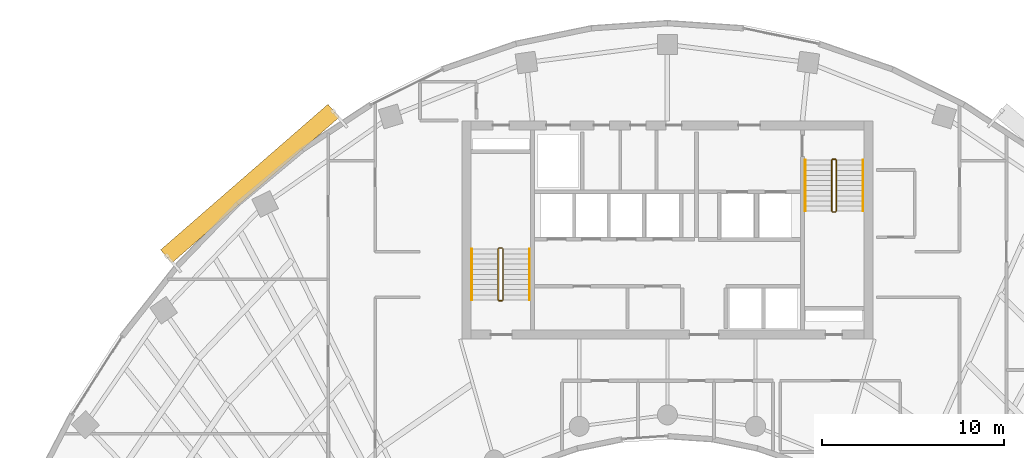
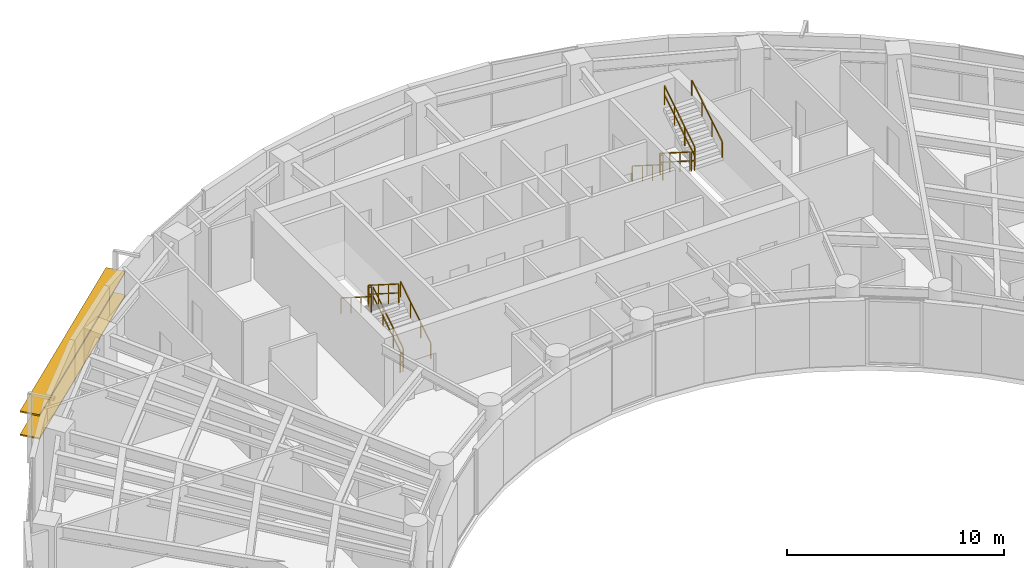
# One storey, part 12 of 13: 12 railings, 2 shading devices.
"""IFC4 building model written with IfcOpenShell, lengths in metres."""

import ifcopenshell
import ifcopenshell.guid

model = None  # the IFC model being written
_history = None  # IfcOwnerHistory: only IFC2X3 demands one
_inside = {}  # id of a spatial element -> (the spatial element, [elements in it])
_under = {}  # id of a project, library or spatial element -> (it, [spatial elements below it])
_declared = {}  # id of a project -> (the project, [libraries it declares])
_typed = {}  # id of a type object -> (the type object, [elements of that type])
_made_of = {}  # id of a material, layer set ... -> (it, [elements and type objects made of it])


def new_model(schema):
    """Start an empty IFC model of exactly this schema.

    Asked for "IFC4X3", IfcOpenShell would pick the latest addendum, in which some entities
    have other attributes; the version numbers below select the first issue.
    IFC2X3 requires an IfcOwnerHistory on every rooted entity: one is made here for all.
    """
    global model, _history
    if schema == "IFC4X3":
        model = ifcopenshell.file(schema_version=(4, 3, 0, 0))
    else:
        model = ifcopenshell.file(schema=schema)
    _inside.clear()
    _under.clear()
    _declared.clear()
    _typed.clear()
    _made_of.clear()
    _history = None
    if model.schema == "IFC2X3":
        org = make("IfcOrganization", Name="unknown")
        user = make(
            "IfcPersonAndOrganization",
            ThePerson=make("IfcPerson", FamilyName="unknown"),
            TheOrganization=org,
        )
        app = make(
            "IfcApplication",
            ApplicationDeveloper=org,
            Version="unknown",
            ApplicationFullName="unknown",
            ApplicationIdentifier="unknown",
        )
        _history = make(
            "IfcOwnerHistory",
            OwningUser=user,
            OwningApplication=app,
            ChangeAction="ADDED",
            CreationDate=0,
        )
    return model


def make(cls, **values):
    """One entity of the class cls with the attributes given. An attribute that is None is left unset."""
    return model.create_entity(
        cls, **{name: value for name, value in values.items() if value is not None}
    )


def rooted(cls, **values):
    """An entity with a GlobalId (a new one), such as an element, a storey or a relation."""
    return make(cls, GlobalId=ifcopenshell.guid.new(), OwnerHistory=_history, **values)


def si_unit(unit_type, name, prefix=None):
    """IfcSIUnit, for example si_unit("LENGTHUNIT", "METRE", prefix="MILLI")."""
    return make("IfcSIUnit", UnitType=unit_type, Prefix=prefix, Name=name)


def assignment(units):
    """IfcUnitAssignment: the units of a project."""
    return None if units is None else make("IfcUnitAssignment", Units=units)


def point(xyz):
    """IfcCartesianPoint."""
    return None if xyz is None else make("IfcCartesianPoint", Coordinates=xyz)


def direction(xyz):
    """IfcDirection."""
    return None if xyz is None else make("IfcDirection", DirectionRatios=xyz)


def frame(location, z_axis=None, x_axis=None):
    """IfcAxis2Placement3D, a coordinate frame: its origin and axes. An axis left out is left unset."""
    return make(
        "IfcAxis2Placement3D",
        Location=point(location),
        Axis=direction(z_axis),
        RefDirection=direction(x_axis),
    )


def frame_2d(location, x_axis=None):
    """IfcAxis2Placement2D, a coordinate frame in the plane: its origin and x axis."""
    return make(
        "IfcAxis2Placement2D", Location=point(location), RefDirection=direction(x_axis)
    )


def origin():
    """The frame at (0, 0, 0) with its axes left unset."""
    return frame((0.0, 0.0, 0.0))


def origin_2d():
    """The frame at (0, 0) in the plane with its x axis left unset."""
    return frame_2d((0.0, 0.0))


def place(relative_to, where):
    """IfcLocalPlacement: puts the frame where relative to a parent placement (None: the world)."""
    return make(
        "IfcLocalPlacement", PlacementRelTo=relative_to, RelativePlacement=where
    )


def context(
    kind, dimensions, precision=None, world=None, true_north=None, identifier=None
):
    """IfcGeometricRepresentationContext, for example the 3D "Model" context."""
    return make(
        "IfcGeometricRepresentationContext",
        ContextIdentifier=identifier,
        ContextType=kind,
        CoordinateSpaceDimension=dimensions,
        Precision=precision,
        WorldCoordinateSystem=world,
        TrueNorth=true_north,
    )


def subcontext(parent, identifier, kind, view, scale=None):
    """IfcGeometricRepresentationSubContext, for example "Body" below "Model"."""
    return make(
        "IfcGeometricRepresentationSubContext",
        ContextIdentifier=identifier,
        ContextType=kind,
        ParentContext=parent,
        TargetScale=scale,
        TargetView=view,
    )


def project(units=None, contexts=None):
    """IfcProject with its units and contexts."""
    return rooted(
        "IfcProject",
        Name="project",
        RepresentationContexts=contexts,
        UnitsInContext=assignment(units),
    )


def spatial(cls, under=None, at=None, **own):
    """A site, building, storey or space (cls), placed at a placement, below another one or the project."""
    s = rooted(cls, ObjectPlacement=at, **own)
    if under is not None:
        _under.setdefault(under.id(), (under, []))[1].append(s)
    return s


def profile(cls, at=None, kind="AREA", **sizes):
    """A parametric profile (cls). Its sizes go by their IFC names, for example OverallWidth=200.0."""
    return make(cls, ProfileType=kind, Position=at, **sizes)


def rectangle(**sizes):
    """IfcRectangleProfileDef."""
    return profile("IfcRectangleProfileDef", **sizes)


def extrude(swept, where, along, depth):
    """IfcExtrudedAreaSolid: the profile swept, set in the frame where, extruded along a direction by depth."""
    return make(
        "IfcExtrudedAreaSolid",
        SweptArea=swept,
        Position=where,
        ExtrudedDirection=direction(along),
        Depth=depth,
    )


def shape(context_of_items, identifier, shape_type, items):
    """IfcShapeRepresentation: the items that make up one representation, for example the "Body"."""
    return make(
        "IfcShapeRepresentation",
        ContextOfItems=context_of_items,
        RepresentationIdentifier=identifier,
        RepresentationType=shape_type,
        Items=items,
    )


def source(mapping_origin, context_of_items, identifier, shape_type, items):
    """IfcRepresentationMap: a shape defined once, which mapped items show again and again."""
    return make(
        "IfcRepresentationMap",
        MappingOrigin=mapping_origin,
        MappedRepresentation=shape(context_of_items, identifier, shape_type, items),
    )


def transform(
    local_origin,
    x_axis=None,
    y_axis=None,
    z_axis=None,
    scale=None,
    scale2=None,
    scale3=None,
    uniform=True,
):
    """IfcCartesianTransformationOperator3D, or its non-uniform kind. x_axis, y_axis, z_axis: its Axis1, 2, 3."""
    if uniform:
        return make(
            "IfcCartesianTransformationOperator3D",
            Axis1=direction(x_axis),
            Axis2=direction(y_axis),
            LocalOrigin=point(local_origin),
            Scale=scale,
            Axis3=direction(z_axis),
        )
    return make(
        "IfcCartesianTransformationOperator3DnonUniform",
        Axis1=direction(x_axis),
        Axis2=direction(y_axis),
        LocalOrigin=point(local_origin),
        Scale=scale,
        Axis3=direction(z_axis),
        Scale2=scale2,
        Scale3=scale3,
    )


def mapped(mapping_source, mapping_target):
    """IfcMappedItem: shows the shape of a source again, moved by a transform."""
    return make(
        "IfcMappedItem", MappingSource=mapping_source, MappingTarget=mapping_target
    )


def material(Name=None, Category=None):
    """IfcMaterial."""
    return make("IfcMaterial", Name=Name, Category=Category)


def material_profile(
    of_material, cross_section, Name=None, Category=None, Priority=None
):
    """IfcMaterialProfile: a cross section and its material."""
    return make(
        "IfcMaterialProfile",
        Name=Name,
        Material=of_material,
        Profile=cross_section,
        Priority=Priority,
        Category=Category,
    )


def profile_set(profiles, Name=None, composite=None):
    """IfcMaterialProfileSet."""
    return make(
        "IfcMaterialProfileSet",
        Name=Name,
        MaterialProfiles=profiles,
        CompositeProfile=composite,
    )


def made_of(thing, what):
    """Note that an element or type object is made of a material, layer set ...; save() writes the relation."""
    if what is not None:
        _made_of.setdefault(what.id(), (what, []))[1].append(thing)
    return thing


def type_object(cls, material=None, **own):
    """A type object (cls), such as IfcWallType, which elements share."""
    return made_of(rooted(cls, **own), material)


def type_shapes(of_type, sources):
    """Give a type object the sources (RepresentationMaps) that its elements show as mapped items."""
    of_type.RepresentationMaps = sources


def element(
    cls,
    number,
    at=None,
    inside=None,
    cuts=None,
    type_object=None,
    material=None,
    context=None,
    identifier="Body",
    shape_type=None,
    held_by="IfcProductDefinitionShape",
    body=None,
    shapes=None,
    **own,
):
    """One element of the class cls, such as IfcWall. Its Tag is "e" and its number.

    at: its placement. inside: the storey or other place that contains it. cuts: it is an
    opening in that element (IfcRelVoidsElement). A single representation is given by context,
    identifier, shape_type and body (its items); several are given by shapes. held_by: the class
    of the entity that holds the representations. save() writes the other relations.
    """
    e = rooted(cls, Tag="e%d" % number, ObjectPlacement=at, **own)
    if body is not None:
        shapes = [shape(context, identifier, shape_type, body)]
    if shapes is not None:
        e.Representation = make(held_by, Representations=shapes)
    if inside is not None:
        _inside.setdefault(inside.id(), (inside, []))[1].append(e)
    if cuts is not None:
        rooted(
            "IfcRelVoidsElement", RelatingBuildingElement=cuts, RelatedOpeningElement=e
        )
    if type_object is not None:
        _typed.setdefault(type_object.id(), (type_object, []))[1].append(e)
    return made_of(e, material)


def aggregate(whole, parts):
    """IfcRelAggregates: a whole, such as a stair, and the parts it consists of."""
    return rooted("IfcRelAggregates", RelatingObject=whole, RelatedObjects=parts)


def save(model, path):
    """Write the relations noted so far, then the file.

    IfcRelAggregates (storeys below a building ...), IfcRelContainedInSpatialStructure (elements
    in a storey), IfcRelDefinesByType, IfcRelAssociatesMaterial and IfcRelDeclares: one each for
    every whole, place, type object, material and project.
    """
    for whole, parts in _under.values():
        aggregate(whole, parts)
    for where, things in _inside.values():
        rooted(
            "IfcRelContainedInSpatialStructure",
            RelatedElements=things,
            RelatingStructure=where,
        )
    for kind, things in _typed.values():
        rooted("IfcRelDefinesByType", RelatedObjects=things, RelatingType=kind)
    for what, things in _made_of.values():
        rooted("IfcRelAssociatesMaterial", RelatedObjects=things, RelatingMaterial=what)
    for by, libraries in _declared.values():
        rooted("IfcRelDeclares", RelatingContext=by, RelatedDefinitions=libraries)
    model.write(path)


model = new_model("IFC4")

# Units and contexts
model_context = context("Model", 3, precision=1e-05, world=origin(), true_north=direction((0.0, 1.0)))
body_context = subcontext(model_context, "Body", "Model", "MODEL_VIEW")
ifc_project = project(units=[si_unit("LENGTHUNIT", "METRE"), si_unit("AREAUNIT", "SQUARE_METRE"), si_unit("VOLUMEUNIT", "CUBIC_METRE"), si_unit("PLANEANGLEUNIT", "RADIAN"), si_unit("MASSUNIT", "GRAM", prefix="KILO")], contexts=[model_context])

# Site, building, storey
site_placement = place(None, origin())
site = spatial("IfcSite", under=ifc_project, at=site_placement, CompositionType="ELEMENT")
building_placement = place(site_placement, origin())
building = spatial("IfcBuilding", under=site, at=building_placement, Name="Breltana Convention Tower", CompositionType="ELEMENT")
storey_placement = place(building_placement, frame((0.0, 0.0, 146.699951171875)))
storey = spatial("IfcBuildingStorey", under=building, at=storey_placement, Name="L35", CompositionType="ELEMENT", Elevation=146.699951171875)

# Railings
ifc_material_1 = material(Name="Steel S275 Painted", Category="steel")
railing_type_1 = type_object("IfcRailingType", Name="RL-STAIR-GUARD-1100", PredefinedType="GUARDRAIL", material=ifc_material_1)
railing_1_placement = place(storey_placement, frame((38.9599609375, 62.360107421875, 0.17724609375)))
element("IfcRailing", 1, at=railing_1_placement, inside=storey, type_object=railing_type_1, Name="L35 ST-1 stair guard 1", PredefinedType="GUARDRAIL", context=body_context, shape_type="SweptSolid", body=[
    extrude(rectangle(XDim=0.048095703125, YDim=0.048095703125, at=origin_2d()), frame((0.0, 0.0, 1.076171875), z_axis=(0.0, 0.844887892834, 0.53494340686), x_axis=(-1.0, 0.0, 0.0)), (0.0, 0.0, 1.0), 3.313720703125),
    extrude(rectangle(XDim=0.048095703125, YDim=0.048095703125, at=origin_2d()), frame((0.0, 0.0, 0.572021484375), z_axis=(0.0, 0.844887892834, 0.53494340686), x_axis=(-1.0, 0.0, 0.0)), (0.0, 0.0, 1.0), 3.313720703125),
    extrude(rectangle(XDim=0.0419921875, YDim=0.0419921875, at=origin_2d()), origin(), (0.0, 0.0, 1.0), 1.052001953125),
    extrude(rectangle(XDim=0.0419921875, YDim=0.0419921875, at=origin_2d()), frame((0.0, 0.933349609375, 0.5908203125)), (0.0, 0.0, 1.0), 1.052001953125),
    extrude(rectangle(XDim=0.0419921875, YDim=0.0419921875, at=origin_2d()), frame((0.0, 1.866455078125, 1.181884765625)), (0.0, 0.0, 1.0), 1.052001953125),
    extrude(rectangle(XDim=0.0419921875, YDim=0.0419921875, at=origin_2d()), frame((0.0, 2.7998046875, 1.772705078125)), (0.0, 0.0, 1.0), 1.052001953125),
])
railing_2_placement = place(storey_placement, frame((38.909912109375, 65.2099609375, 1.949951171875)))
element("IfcRailing", 2, at=railing_2_placement, inside=storey, type_object=railing_type_1, Name="L35 ST-1 stair guard 2", PredefinedType="GUARDRAIL", context=body_context, shape_type="SweptSolid", body=[
    extrude(rectangle(XDim=0.048095703125, YDim=0.048095703125, at=origin_2d()), frame((0.0, 0.0, 1.076171875), z_axis=(-1.0, 0.0, 0.0), x_axis=(0.0, -1.0, 0.0)), (0.0, 0.0, 1.0), 0.14990234375),
    extrude(rectangle(XDim=0.048095703125, YDim=0.048095703125, at=origin_2d()), frame((0.0, 0.0, 0.572021484375), z_axis=(-1.0, 0.0, 0.0), x_axis=(0.0, -1.0, 0.0)), (0.0, 0.0, 1.0), 0.14990234375),
    extrude(rectangle(XDim=0.0419921875, YDim=0.0419921875, at=origin_2d()), origin(), (0.0, 0.0, 1.0), 1.052001953125),
    extrude(rectangle(XDim=0.0419921875, YDim=0.0419921875, at=origin_2d()), frame((-0.14990234375, 0.0, 0.0)), (0.0, 0.0, 1.0), 1.052001953125),
])
railing_3_placement = place(storey_placement, frame((38.7099609375, 65.159912109375, 2.12744140625)))
element("IfcRailing", 3, at=railing_3_placement, inside=storey, type_object=railing_type_1, Name="L35 ST-1 stair guard 3", PredefinedType="GUARDRAIL", context=body_context, shape_type="SweptSolid", body=[
    extrude(rectangle(XDim=0.048095703125, YDim=0.048095703125, at=origin_2d()), frame((0.0, 0.0, 1.076171875), z_axis=(0.0, -0.844887892834, 0.53494340686), x_axis=(1.0, 0.0, 0.0)), (0.0, 0.0, 1.0), 3.313720703125),
    extrude(rectangle(XDim=0.048095703125, YDim=0.048095703125, at=origin_2d()), frame((0.0, 0.0, 0.572021484375), z_axis=(0.0, -0.844887892834, 0.53494340686), x_axis=(1.0, 0.0, 0.0)), (0.0, 0.0, 1.0), 3.313720703125),
    extrude(rectangle(XDim=0.0419921875, YDim=0.0419921875, at=origin_2d()), origin(), (0.0, 0.0, 1.0), 1.052001953125),
    extrude(rectangle(XDim=0.0419921875, YDim=0.0419921875, at=origin_2d()), frame((0.0, -0.933349609375, 0.5908203125)), (0.0, 0.0, 1.0), 1.052001953125),
    extrude(rectangle(XDim=0.0419921875, YDim=0.0419921875, at=origin_2d()), frame((0.0, -1.866455078125, 1.181884765625)), (0.0, 0.0, 1.0), 1.052001953125),
    extrude(rectangle(XDim=0.0419921875, YDim=0.0419921875, at=origin_2d()), frame((0.0, -2.7998046875, 1.772705078125)), (0.0, 0.0, 1.0), 1.052001953125),
])
railing_4_placement = place(storey_placement, frame((38.909912109375, 62.31005859375, 0.0)))
element("IfcRailing", 4, at=railing_4_placement, inside=storey, type_object=railing_type_1, Name="L35 ST-1 stair guard 4", PredefinedType="GUARDRAIL", context=body_context, shape_type="SweptSolid", body=[
    extrude(rectangle(XDim=0.048095703125, YDim=0.048095703125, at=origin_2d()), frame((0.0, 0.0, 1.076171875), z_axis=(-1.0, 0.0, 0.0), x_axis=(0.0, -1.0, 0.0)), (0.0, 0.0, 1.0), 0.14990234375),
    extrude(rectangle(XDim=0.048095703125, YDim=0.048095703125, at=origin_2d()), frame((0.0, 0.0, 0.572021484375), z_axis=(-1.0, 0.0, 0.0), x_axis=(0.0, -1.0, 0.0)), (0.0, 0.0, 1.0), 0.14990234375),
    extrude(rectangle(XDim=0.0419921875, YDim=0.0419921875, at=origin_2d()), origin(), (0.0, 0.0, 1.0), 1.052001953125),
    extrude(rectangle(XDim=0.0419921875, YDim=0.0419921875, at=origin_2d()), frame((-0.14990234375, 0.0, 0.0)), (0.0, 0.0, 1.0), 1.052001953125),
])
railing_5_placement = place(storey_placement, frame((57.0400390625, 70.0400390625, 0.17724609375)))
element("IfcRailing", 5, at=railing_5_placement, inside=storey, type_object=railing_type_1, Name="L35 ST-2 stair guard 1", PredefinedType="GUARDRAIL", context=body_context, shape_type="SweptSolid", body=[
    extrude(rectangle(XDim=0.048095703125, YDim=0.048095703125, at=origin_2d()), frame((0.0, 0.0, 1.076171875), z_axis=(0.0, -0.844908973607, 0.534910110503), x_axis=(1.0, 0.0, 0.0)), (0.0, 0.0, 1.0), 3.31396484375),
    extrude(rectangle(XDim=0.048095703125, YDim=0.048095703125, at=origin_2d()), frame((0.0, 0.0, 0.572021484375), z_axis=(0.0, -0.844908973607, 0.534910110503), x_axis=(1.0, 0.0, 0.0)), (0.0, 0.0, 1.0), 3.31396484375),
    extrude(rectangle(XDim=0.0419921875, YDim=0.0419921875, at=origin_2d()), origin(), (0.0, 0.0, 1.0), 1.052001953125),
    extrude(rectangle(XDim=0.0419921875, YDim=0.0419921875, at=origin_2d()), frame((0.0, -0.933349609375, 0.5908203125)), (0.0, 0.0, 1.0), 1.052001953125),
    extrude(rectangle(XDim=0.0419921875, YDim=0.0419921875, at=origin_2d()), frame((0.0, -1.86669921875, 1.181884765625)), (0.0, 0.0, 1.0), 1.052001953125),
    extrude(rectangle(XDim=0.0419921875, YDim=0.0419921875, at=origin_2d()), frame((0.0, -2.800048828125, 1.772705078125)), (0.0, 0.0, 1.0), 1.052001953125),
])
railing_6_placement = place(storey_placement, frame((57.090087890625, 67.18994140625, 1.949951171875)))
element("IfcRailing", 6, at=railing_6_placement, inside=storey, type_object=railing_type_1, Name="L35 ST-2 stair guard 2", PredefinedType="GUARDRAIL", context=body_context, shape_type="SweptSolid", body=[
    extrude(rectangle(XDim=0.048095703125, YDim=0.048095703125, at=origin_2d()), frame((0.0, 0.0, 1.076171875), z_axis=(1.0, 0.0, 0.0), x_axis=(0.0, 1.0, 0.0)), (0.0, 0.0, 1.0), 0.14990234375),
    extrude(rectangle(XDim=0.048095703125, YDim=0.048095703125, at=origin_2d()), frame((0.0, 0.0, 0.572021484375), z_axis=(1.0, 0.0, 0.0), x_axis=(0.0, 1.0, 0.0)), (0.0, 0.0, 1.0), 0.14990234375),
    extrude(rectangle(XDim=0.0419921875, YDim=0.0419921875, at=origin_2d()), origin(), (0.0, 0.0, 1.0), 1.052001953125),
    extrude(rectangle(XDim=0.0419921875, YDim=0.0419921875, at=origin_2d()), frame((0.14990234375, 0.0, 0.0)), (0.0, 0.0, 1.0), 1.052001953125),
])
railing_7_placement = place(storey_placement, frame((57.2900390625, 67.239990234375, 2.12744140625)))
element("IfcRailing", 7, at=railing_7_placement, inside=storey, type_object=railing_type_1, Name="L35 ST-2 stair guard 3", PredefinedType="GUARDRAIL", context=body_context, shape_type="SweptSolid", body=[
    extrude(rectangle(XDim=0.048095703125, YDim=0.048095703125, at=origin_2d()), frame((0.0, 0.0, 1.076171875), z_axis=(0.0, 0.844908973607, 0.534910110503), x_axis=(-1.0, 0.0, 0.0)), (0.0, 0.0, 1.0), 3.31396484375),
    extrude(rectangle(XDim=0.048095703125, YDim=0.048095703125, at=origin_2d()), frame((0.0, 0.0, 0.572021484375), z_axis=(0.0, 0.844908973607, 0.534910110503), x_axis=(-1.0, 0.0, 0.0)), (0.0, 0.0, 1.0), 3.31396484375),
    extrude(rectangle(XDim=0.0419921875, YDim=0.0419921875, at=origin_2d()), origin(), (0.0, 0.0, 1.0), 1.052001953125),
    extrude(rectangle(XDim=0.0419921875, YDim=0.0419921875, at=origin_2d()), frame((0.0, 0.933349609375, 0.5908203125)), (0.0, 0.0, 1.0), 1.052001953125),
    extrude(rectangle(XDim=0.0419921875, YDim=0.0419921875, at=origin_2d()), frame((0.0, 1.86669921875, 1.181884765625)), (0.0, 0.0, 1.0), 1.052001953125),
    extrude(rectangle(XDim=0.0419921875, YDim=0.0419921875, at=origin_2d()), frame((0.0, 2.800048828125, 1.772705078125)), (0.0, 0.0, 1.0), 1.052001953125),
])
railing_8_placement = place(storey_placement, frame((57.090087890625, 70.090087890625, 0.0)))
element("IfcRailing", 8, at=railing_8_placement, inside=storey, type_object=railing_type_1, Name="L35 ST-2 stair guard 4", PredefinedType="GUARDRAIL", context=body_context, shape_type="SweptSolid", body=[
    extrude(rectangle(XDim=0.048095703125, YDim=0.048095703125, at=origin_2d()), frame((0.0, 0.0, 1.076171875), z_axis=(1.0, 0.0, 0.0), x_axis=(0.0, 1.0, 0.0)), (0.0, 0.0, 1.0), 0.14990234375),
    extrude(rectangle(XDim=0.048095703125, YDim=0.048095703125, at=origin_2d()), frame((0.0, 0.0, 0.572021484375), z_axis=(1.0, 0.0, 0.0), x_axis=(0.0, 1.0, 0.0)), (0.0, 0.0, 1.0), 0.14990234375),
    extrude(rectangle(XDim=0.0419921875, YDim=0.0419921875, at=origin_2d()), origin(), (0.0, 0.0, 1.0), 1.052001953125),
    extrude(rectangle(XDim=0.0419921875, YDim=0.0419921875, at=origin_2d()), frame((0.14990234375, 0.0, 0.0)), (0.0, 0.0, 1.0), 1.052001953125),
])
ifc_material_2 = material(Name="Stainless Steel 316L", Category="steel")
railing_type_2 = type_object("IfcRailingType", Name="RL-STAIR-HANDRAIL-900", PredefinedType="HANDRAIL", material=ifc_material_2)
railing_9_placement = place(storey_placement, frame((40.419921875, 62.360107421875, 0.17724609375)))
element("IfcRailing", 9, at=railing_9_placement, inside=storey, type_object=railing_type_2, Name="L35 ST-1 stair handrail 1", PredefinedType="HANDRAIL", context=body_context, shape_type="SweptSolid", body=[
    extrude(rectangle(XDim=0.048095703125, YDim=0.048095703125, at=origin_2d()), frame((0.0, 0.0, 0.8759765625), z_axis=(0.0, 0.844887892834, 0.53494340686), x_axis=(-1.0, 0.0, 0.0)), (0.0, 0.0, 1.0), 3.313720703125),
    extrude(rectangle(XDim=0.0419921875, YDim=0.0419921875, at=origin_2d()), origin(), (0.0, 0.0, 1.0), 0.851806640625),
    extrude(rectangle(XDim=0.0419921875, YDim=0.0419921875, at=origin_2d()), frame((0.0, 0.933349609375, 0.5908203125)), (0.0, 0.0, 1.0), 0.851806640625),
    extrude(rectangle(XDim=0.0419921875, YDim=0.0419921875, at=origin_2d()), frame((0.0, 1.866455078125, 1.181884765625)), (0.0, 0.0, 1.0), 0.851806640625),
    extrude(rectangle(XDim=0.0419921875, YDim=0.0419921875, at=origin_2d()), frame((0.0, 2.7998046875, 1.772705078125)), (0.0, 0.0, 1.0), 0.851806640625),
])
railing_10_placement = place(storey_placement, frame((37.25, 65.159912109375, 2.12744140625)))
element("IfcRailing", 10, at=railing_10_placement, inside=storey, type_object=railing_type_2, Name="L35 ST-1 stair handrail 2", PredefinedType="HANDRAIL", context=body_context, shape_type="SweptSolid", body=[
    extrude(rectangle(XDim=0.048095703125, YDim=0.048095703125, at=origin_2d()), frame((0.0, 0.0, 0.8759765625), z_axis=(0.0, -0.844887892834, 0.53494340686), x_axis=(1.0, 0.0, 0.0)), (0.0, 0.0, 1.0), 3.313720703125),
    extrude(rectangle(XDim=0.0419921875, YDim=0.0419921875, at=origin_2d()), origin(), (0.0, 0.0, 1.0), 0.851806640625),
    extrude(rectangle(XDim=0.0419921875, YDim=0.0419921875, at=origin_2d()), frame((0.0, -0.933349609375, 0.5908203125)), (0.0, 0.0, 1.0), 0.851806640625),
    extrude(rectangle(XDim=0.0419921875, YDim=0.0419921875, at=origin_2d()), frame((0.0, -1.866455078125, 1.181884765625)), (0.0, 0.0, 1.0), 0.851806640625),
    extrude(rectangle(XDim=0.0419921875, YDim=0.0419921875, at=origin_2d()), frame((0.0, -2.7998046875, 1.772705078125)), (0.0, 0.0, 1.0), 0.851806640625),
])
railing_11_placement = place(storey_placement, frame((55.580078125, 70.0400390625, 0.17724609375)))
element("IfcRailing", 11, at=railing_11_placement, inside=storey, type_object=railing_type_2, Name="L35 ST-2 stair handrail 1", PredefinedType="HANDRAIL", context=body_context, shape_type="SweptSolid", body=[
    extrude(rectangle(XDim=0.048095703125, YDim=0.048095703125, at=origin_2d()), frame((0.0, 0.0, 0.8759765625), z_axis=(0.0, -0.844908973607, 0.534910110503), x_axis=(1.0, 0.0, 0.0)), (0.0, 0.0, 1.0), 3.31396484375),
    extrude(rectangle(XDim=0.0419921875, YDim=0.0419921875, at=origin_2d()), origin(), (0.0, 0.0, 1.0), 0.851806640625),
    extrude(rectangle(XDim=0.0419921875, YDim=0.0419921875, at=origin_2d()), frame((0.0, -0.933349609375, 0.5908203125)), (0.0, 0.0, 1.0), 0.851806640625),
    extrude(rectangle(XDim=0.0419921875, YDim=0.0419921875, at=origin_2d()), frame((0.0, -1.86669921875, 1.181884765625)), (0.0, 0.0, 1.0), 0.851806640625),
    extrude(rectangle(XDim=0.0419921875, YDim=0.0419921875, at=origin_2d()), frame((0.0, -2.800048828125, 1.772705078125)), (0.0, 0.0, 1.0), 0.851806640625),
])
railing_12_placement = place(storey_placement, frame((58.75, 67.239990234375, 2.12744140625)))
element("IfcRailing", 12, at=railing_12_placement, inside=storey, type_object=railing_type_2, Name="L35 ST-2 stair handrail 2", PredefinedType="HANDRAIL", context=body_context, shape_type="SweptSolid", body=[
    extrude(rectangle(XDim=0.048095703125, YDim=0.048095703125, at=origin_2d()), frame((0.0, 0.0, 0.8759765625), z_axis=(0.0, 0.844908973607, 0.534910110503), x_axis=(-1.0, 0.0, 0.0)), (0.0, 0.0, 1.0), 3.31396484375),
    extrude(rectangle(XDim=0.0419921875, YDim=0.0419921875, at=origin_2d()), origin(), (0.0, 0.0, 1.0), 0.851806640625),
    extrude(rectangle(XDim=0.0419921875, YDim=0.0419921875, at=origin_2d()), frame((0.0, 0.933349609375, 0.5908203125)), (0.0, 0.0, 1.0), 0.851806640625),
    extrude(rectangle(XDim=0.0419921875, YDim=0.0419921875, at=origin_2d()), frame((0.0, 1.86669921875, 1.181884765625)), (0.0, 0.0, 1.0), 0.851806640625),
    extrude(rectangle(XDim=0.0419921875, YDim=0.0419921875, at=origin_2d()), frame((0.0, 2.800048828125, 1.772705078125)), (0.0, 0.0, 1.0), 0.851806640625),
])

# Shading devices
ifc_material_3 = material(Name="Limestone Warm Buff Honed", Category="masonry")
ifc_material_profile = material_profile(ifc_material_3, rectangle(XDim=0.949951171875, YDim=0.080078125, at=origin_2d()), Name="STN-LVR-950X80")
ifc_profile_set = profile_set([ifc_material_profile], Name="Limestone Warm Buff Honed")
shading_device_type = type_object("IfcShadingDeviceType", Name="SHD-OUTER-SKIN-LIMESTONE-950", PredefinedType="JALOUSIE", material=ifc_profile_set)
shared_shape = source(origin(), body_context, "Body", "SweptSolid", [
    extrude(rectangle(XDim=0.949951171875, YDim=0.080078125, at=origin_2d()), origin(), (0.0, 0.0, 1.0), 12.1943359375),
])
type_shapes(shading_device_type, [shared_shape])
for number, where, z_axis, x_axis, name in (
    (13, (20.451904296875, 64.74951171875, 1.31396484375), (0.754361083307, 0.656459713914, 0.0), (-0.656459713914, 0.754361083307, 0.0), "L35 outer skin warm limestone louvre 1.1"),
    (14, (20.451904296875, 64.74951171875, 2.6279296875), (0.754361083307, 0.656459713914, 0.0), (-0.656459713914, 0.754361083307, 0.0), "L35 outer skin warm limestone louvre 1.2"),
):
    element("IfcShadingDevice", number, at=place(storey_placement, frame(where, z_axis=z_axis, x_axis=x_axis)), inside=storey, type_object=shading_device_type, Name=name, PredefinedType="JALOUSIE", context=body_context, shape_type="MappedRepresentation", body=[
        mapped(shared_shape, transform((0.0, 0.0, 0.0), scale=1.0)),
    ])

save(model, "model.ifc")
